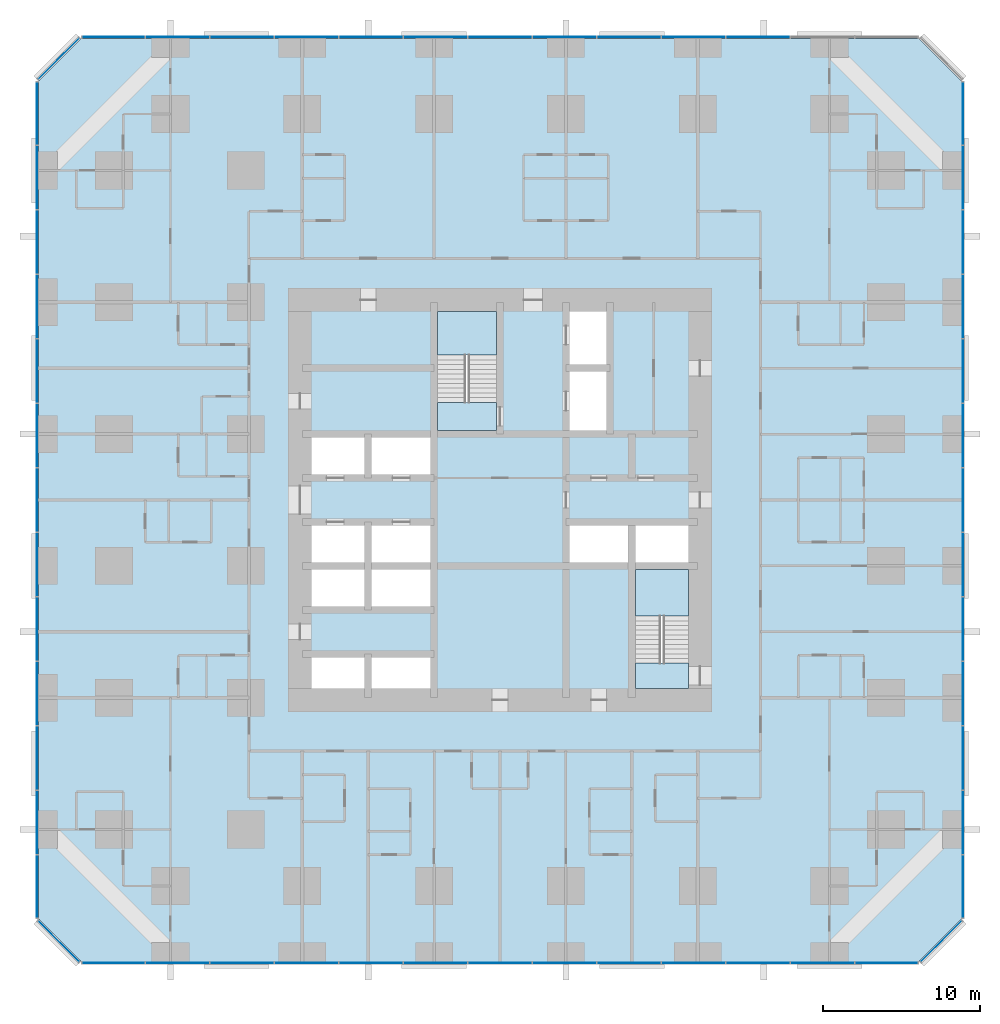
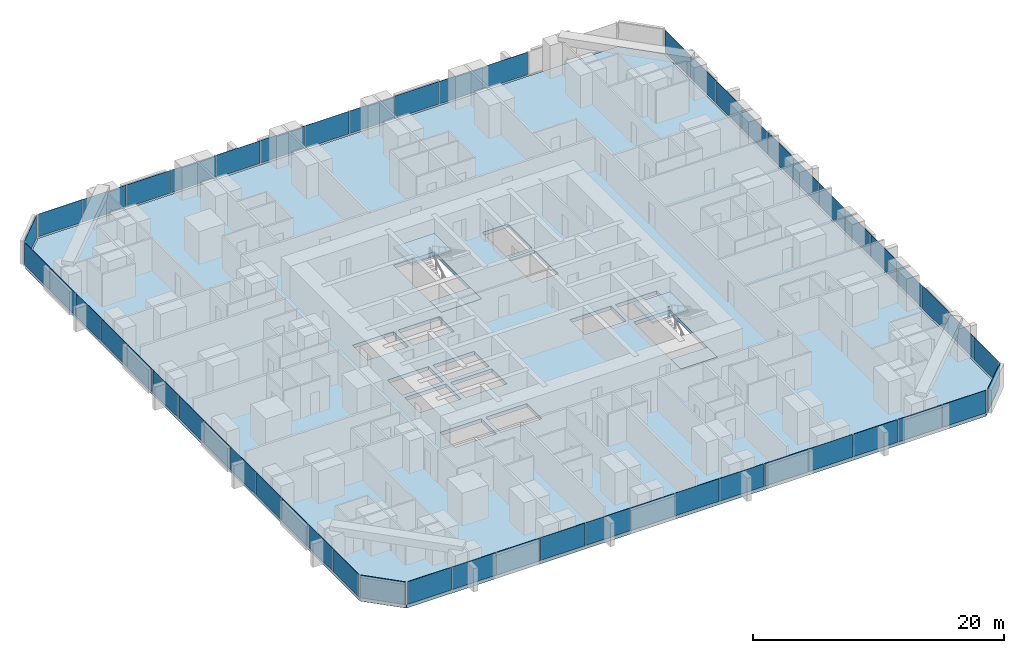
# One storey, part 8 of 16: 53 plates, 5 slabs, 9 elements without a shape of their own.
"""IFC4 building model written with IfcOpenShell, lengths in metres."""

from ifc_helpers import new_model, si_unit, direction, frame, origin, origin_2d, place, context, subcontext, project, spatial, polyline, rectangle, outline, extrude, material, layer, layer_set, type_object, element, aggregate, save


model = new_model("IFC4")

# Units and contexts
model_context = context("Model", 3, precision=1e-05, world=origin(), true_north=direction((0.0, 1.0)))
body_context = subcontext(model_context, "Body", "Model", "MODEL_VIEW")
ifc_project = project(units=[si_unit("LENGTHUNIT", "METRE"), si_unit("AREAUNIT", "SQUARE_METRE"), si_unit("VOLUMEUNIT", "CUBIC_METRE"), si_unit("PLANEANGLEUNIT", "RADIAN"), si_unit("MASSUNIT", "GRAM", prefix="KILO")], contexts=[model_context])

# Site, building, storey
site_placement = place(None, origin())
site = spatial("IfcSite", under=ifc_project, at=site_placement, CompositionType="ELEMENT")
building_placement = place(site_placement, origin())
building = spatial("IfcBuilding", under=site, at=building_placement, Name="Dunama Terrace Hotel", CompositionType="ELEMENT")
storey_placement = place(building_placement, frame((0.0, 0.0, 84.60009765625)))
storey = spatial("IfcBuildingStorey", under=building, at=storey_placement, Name="L21", CompositionType="ELEMENT", Elevation=84.60009765625)

# Curtain wall, plates
ifc_material_1 = material(Name="Aluminium curtain wall system", Category="aluminium")
curtain_wall_type = type_object("IfcCurtainWallType", Name="Unitised fritted glass wall CW-A", PredefinedType="NOTDEFINED", material=ifc_material_1)
curtain_wall_1_placement = place(storey_placement, origin())
curtain_wall_1 = element("IfcCurtainWall", 1, at=curtain_wall_1_placement, inside=storey, type_object=curtain_wall_type, Name="Unitised fritted glass wall CW-A L21", PredefinedType="NOTDEFINED")
ifc_material_2 = material(Name="Laminated glass", Category="glass")
ifc_layer_1 = layer(ifc_material_2, 0.030029296875)
ifc_layer_set_1 = layer_set([ifc_layer_1], Name="CWA clear glass panel")
plate_type_1 = type_object("IfcPlateType", Name="CWA clear glass panel", PredefinedType="CURTAIN_PANEL", material=ifc_layer_set_1)
plate_1_placement = place(storey_placement, frame((4.77001953125, -0.10009765625, 0.074951171875), z_axis=(0.0, 0.0, 1.0), x_axis=(1.0, 0.0, 0.0)))
plate_1 = element("IfcPlate", 2, at=plate_1_placement, type_object=plate_type_1, Name="CWA clear glass panel", PredefinedType="CURTAIN_PANEL", context=body_context, shape_type="SweptSolid", body=[
    extrude(rectangle(XDim=4.01025390625, YDim=0.030029296875, at=origin_2d()), origin(), (0.0, 0.0, 1.0), 2.2041015625),
])
plate_2_placement = place(storey_placement, frame((17.076904296875, -0.10009765625, 0.074951171875), z_axis=(0.0, 0.0, 1.0), x_axis=(1.0, 0.0, 0.0)))
plate_2 = element("IfcPlate", 3, at=plate_2_placement, type_object=plate_type_1, Name="CWA clear glass panel", PredefinedType="CURTAIN_PANEL", context=body_context, shape_type="SweptSolid", body=[
    extrude(rectangle(XDim=4.042724609375, YDim=0.030029296875, at=origin_2d()), origin(), (0.0, 0.0, 1.0), 2.2041015625),
])
plate_3_placement = place(storey_placement, frame((29.39990234375, -0.10009765625, 0.074951171875), z_axis=(0.0, 0.0, 1.0), x_axis=(1.0, 0.0, 0.0)))
plate_3 = element("IfcPlate", 4, at=plate_3_placement, type_object=plate_type_1, Name="CWA clear glass panel", PredefinedType="CURTAIN_PANEL", context=body_context, shape_type="SweptSolid", body=[
    extrude(rectangle(XDim=4.042724609375, YDim=0.030029296875, at=origin_2d()), origin(), (0.0, 0.0, 1.0), 2.2041015625),
])
plate_4_placement = place(storey_placement, frame((41.722900390625, -0.10009765625, 0.074951171875), z_axis=(0.0, 0.0, 1.0), x_axis=(1.0, 0.0, 0.0)))
plate_4 = element("IfcPlate", 5, at=plate_4_placement, type_object=plate_type_1, Name="CWA clear glass panel", PredefinedType="CURTAIN_PANEL", context=body_context, shape_type="SweptSolid", body=[
    extrude(rectangle(XDim=4.042724609375, YDim=0.030029296875, at=origin_2d()), origin(), (0.0, 0.0, 1.0), 2.2041015625),
])
plate_5_placement = place(storey_placement, frame((54.030029296875, -0.10009765625, 0.074951171875), z_axis=(0.0, 0.0, 1.0), x_axis=(1.0, 0.0, 0.0)))
plate_5 = element("IfcPlate", 6, at=plate_5_placement, type_object=plate_type_1, Name="CWA clear glass panel", PredefinedType="CURTAIN_PANEL", context=body_context, shape_type="SweptSolid", body=[
    extrude(rectangle(XDim=4.01025390625, YDim=0.030029296875, at=origin_2d()), origin(), (0.0, 0.0, 1.0), 2.2041015625),
])

curtain_wall_2_placement = place(storey_placement, origin())
curtain_wall_2 = element("IfcCurtainWall", 7, at=curtain_wall_2_placement, inside=storey, type_object=curtain_wall_type, Name="Unitised fritted glass wall CW-A L21", PredefinedType="NOTDEFINED")
plate_6_placement = place(storey_placement, frame((58.89990234375, 8.862060546875, 0.074951171875), z_axis=(0.0, 0.0, 1.0), x_axis=(0.0, 1.0, 0.0)))
plate_6 = element("IfcPlate", 8, at=plate_6_placement, type_object=plate_type_1, Name="CWA clear glass panel", PredefinedType="CURTAIN_PANEL", context=body_context, shape_type="SweptSolid", body=[
    extrude(rectangle(XDim=4.042724609375, YDim=0.030029296875, at=origin_2d()), origin(), (0.0, 0.0, 1.0), 2.2041015625),
])
plate_7_placement = place(storey_placement, frame((58.89990234375, 21.18505859375, 0.074951171875), z_axis=(0.0, 0.0, 1.0), x_axis=(0.0, 1.0, 0.0)))
plate_7 = element("IfcPlate", 9, at=plate_7_placement, type_object=plate_type_1, Name="CWA clear glass panel", PredefinedType="CURTAIN_PANEL", context=body_context, shape_type="SweptSolid", body=[
    extrude(rectangle(XDim=4.042724609375, YDim=0.030029296875, at=origin_2d()), origin(), (0.0, 0.0, 1.0), 2.2041015625),
])
plate_8_placement = place(storey_placement, frame((58.89990234375, 33.508056640625, 0.074951171875), z_axis=(0.0, 0.0, 1.0), x_axis=(0.0, 1.0, 0.0)))
plate_8 = element("IfcPlate", 10, at=plate_8_placement, type_object=plate_type_1, Name="CWA clear glass panel", PredefinedType="CURTAIN_PANEL", context=body_context, shape_type="SweptSolid", body=[
    extrude(rectangle(XDim=4.042724609375, YDim=0.030029296875, at=origin_2d()), origin(), (0.0, 0.0, 1.0), 2.2041015625),
])
plate_9_placement = place(storey_placement, frame((58.89990234375, 45.8310546875, 0.074951171875), z_axis=(0.0, 0.0, 1.0), x_axis=(0.0, 1.0, 0.0)))
plate_9 = element("IfcPlate", 11, at=plate_9_placement, type_object=plate_type_1, Name="CWA clear glass panel", PredefinedType="CURTAIN_PANEL", context=body_context, shape_type="SweptSolid", body=[
    extrude(rectangle(XDim=4.042724609375, YDim=0.030029296875, at=origin_2d()), origin(), (0.0, 0.0, 1.0), 2.2041015625),
])

curtain_wall_3_placement = place(storey_placement, origin())
curtain_wall_3 = element("IfcCurtainWall", 12, at=curtain_wall_3_placement, inside=storey, type_object=curtain_wall_type, Name="Unitised fritted glass wall CW-A L21", PredefinedType="NOTDEFINED")
plate_10_placement = place(storey_placement, frame((45.8310546875, 58.89990234375, 0.074951171875), z_axis=(0.0, 0.0, 1.0), x_axis=(-1.0, 0.0, 0.0)))
plate_10 = element("IfcPlate", 13, at=plate_10_placement, type_object=plate_type_1, Name="CWA clear glass panel", PredefinedType="CURTAIN_PANEL", context=body_context, shape_type="SweptSolid", body=[
    extrude(rectangle(XDim=4.042724609375, YDim=0.030029296875, at=origin_2d()), origin(), (0.0, 0.0, 1.0), 2.2041015625),
])
plate_11_placement = place(storey_placement, frame((33.508056640625, 58.89990234375, 0.074951171875), z_axis=(0.0, 0.0, 1.0), x_axis=(-1.0, 0.0, 0.0)))
plate_11 = element("IfcPlate", 14, at=plate_11_placement, type_object=plate_type_1, Name="CWA clear glass panel", PredefinedType="CURTAIN_PANEL", context=body_context, shape_type="SweptSolid", body=[
    extrude(rectangle(XDim=4.042724609375, YDim=0.030029296875, at=origin_2d()), origin(), (0.0, 0.0, 1.0), 2.2041015625),
])
plate_12_placement = place(storey_placement, frame((21.18505859375, 58.89990234375, 0.074951171875), z_axis=(0.0, 0.0, 1.0), x_axis=(-1.0, 0.0, 0.0)))
plate_12 = element("IfcPlate", 15, at=plate_12_placement, type_object=plate_type_1, Name="CWA clear glass panel", PredefinedType="CURTAIN_PANEL", context=body_context, shape_type="SweptSolid", body=[
    extrude(rectangle(XDim=4.042724609375, YDim=0.030029296875, at=origin_2d()), origin(), (0.0, 0.0, 1.0), 2.2041015625),
])
plate_13_placement = place(storey_placement, frame((8.862060546875, 58.89990234375, 0.074951171875), z_axis=(0.0, 0.0, 1.0), x_axis=(-1.0, 0.0, 0.0)))
plate_13 = element("IfcPlate", 16, at=plate_13_placement, type_object=plate_type_1, Name="CWA clear glass panel", PredefinedType="CURTAIN_PANEL", context=body_context, shape_type="SweptSolid", body=[
    extrude(rectangle(XDim=4.042724609375, YDim=0.030029296875, at=origin_2d()), origin(), (0.0, 0.0, 1.0), 2.2041015625),
])

curtain_wall_4_placement = place(storey_placement, origin())
curtain_wall_4 = element("IfcCurtainWall", 17, at=curtain_wall_4_placement, inside=storey, type_object=curtain_wall_type, Name="Unitised fritted glass wall CW-A L21", PredefinedType="NOTDEFINED")
plate_14_placement = place(storey_placement, frame((-0.10009765625, 54.030029296875, 0.074951171875), z_axis=(0.0, 0.0, 1.0), x_axis=(0.0, -1.0, 0.0)))
plate_14 = element("IfcPlate", 18, at=plate_14_placement, type_object=plate_type_1, Name="CWA clear glass panel", PredefinedType="CURTAIN_PANEL", context=body_context, shape_type="SweptSolid", body=[
    extrude(rectangle(XDim=4.01025390625, YDim=0.030029296875, at=origin_2d()), origin(), (0.0, 0.0, 1.0), 2.2041015625),
])
plate_15_placement = place(storey_placement, frame((-0.10009765625, 41.722900390625, 0.074951171875), z_axis=(0.0, 0.0, 1.0), x_axis=(0.0, -1.0, 0.0)))
plate_15 = element("IfcPlate", 19, at=plate_15_placement, type_object=plate_type_1, Name="CWA clear glass panel", PredefinedType="CURTAIN_PANEL", context=body_context, shape_type="SweptSolid", body=[
    extrude(rectangle(XDim=4.042724609375, YDim=0.030029296875, at=origin_2d()), origin(), (0.0, 0.0, 1.0), 2.2041015625),
])
plate_16_placement = place(storey_placement, frame((-0.10009765625, 29.39990234375, 0.074951171875), z_axis=(0.0, 0.0, 1.0), x_axis=(0.0, -1.0, 0.0)))
plate_16 = element("IfcPlate", 20, at=plate_16_placement, type_object=plate_type_1, Name="CWA clear glass panel", PredefinedType="CURTAIN_PANEL", context=body_context, shape_type="SweptSolid", body=[
    extrude(rectangle(XDim=4.042724609375, YDim=0.030029296875, at=origin_2d()), origin(), (0.0, 0.0, 1.0), 2.2041015625),
])
plate_17_placement = place(storey_placement, frame((-0.10009765625, 17.076904296875, 0.074951171875), z_axis=(0.0, 0.0, 1.0), x_axis=(0.0, -1.0, 0.0)))
plate_17 = element("IfcPlate", 21, at=plate_17_placement, type_object=plate_type_1, Name="CWA clear glass panel", PredefinedType="CURTAIN_PANEL", context=body_context, shape_type="SweptSolid", body=[
    extrude(rectangle(XDim=4.042724609375, YDim=0.030029296875, at=origin_2d()), origin(), (0.0, 0.0, 1.0), 2.2041015625),
])
plate_18_placement = place(storey_placement, frame((-0.10009765625, 4.77001953125, 0.074951171875), z_axis=(0.0, 0.0, 1.0), x_axis=(0.0, -1.0, 0.0)))
plate_18 = element("IfcPlate", 22, at=plate_18_placement, type_object=plate_type_1, Name="CWA clear glass panel", PredefinedType="CURTAIN_PANEL", context=body_context, shape_type="SweptSolid", body=[
    extrude(rectangle(XDim=4.01025390625, YDim=0.030029296875, at=origin_2d()), origin(), (0.0, 0.0, 1.0), 2.2041015625),
])

# Plate
ifc_material_3 = material(Name="Fritted laminated glass", Category="glass")
ifc_layer_2 = layer(ifc_material_3, 0.030029296875)
ifc_layer_set_2 = layer_set([ifc_layer_2], Name="CWA fritted glass panel")
plate_type_2 = type_object("IfcPlateType", Name="CWA fritted glass panel", PredefinedType="CURTAIN_PANEL", material=ifc_layer_set_2)
plate_19_placement = place(storey_placement, frame((12.968994140625, -0.10009765625, 0.074951171875), z_axis=(0.0, 0.0, 1.0), x_axis=(1.0, 0.0, 0.0)))
plate_19 = element("IfcPlate", 23, at=plate_19_placement, type_object=plate_type_2, Name="CWA fritted glass panel", PredefinedType="CURTAIN_PANEL", context=body_context, shape_type="SweptSolid", body=[
    extrude(rectangle(XDim=4.042724609375, YDim=0.030029296875, at=origin_2d()), origin(), (0.0, 0.0, 1.0), 2.2041015625),
])

plate_20_placement = place(storey_placement, frame((25.2919921875, -0.10009765625, 0.074951171875), z_axis=(0.0, 0.0, 1.0), x_axis=(1.0, 0.0, 0.0)))
plate_20 = element("IfcPlate", 24, at=plate_20_placement, type_object=plate_type_2, Name="CWA fritted glass panel", PredefinedType="CURTAIN_PANEL", context=body_context, shape_type="SweptSolid", body=[
    extrude(rectangle(XDim=4.042724609375, YDim=0.030029296875, at=origin_2d()), origin(), (0.0, 0.0, 1.0), 2.2041015625),
])

plate_21_placement = place(storey_placement, frame((37.614990234375, -0.10009765625, 0.074951171875), z_axis=(0.0, 0.0, 1.0), x_axis=(1.0, 0.0, 0.0)))
plate_21 = element("IfcPlate", 25, at=plate_21_placement, type_object=plate_type_2, Name="CWA fritted glass panel", PredefinedType="CURTAIN_PANEL", context=body_context, shape_type="SweptSolid", body=[
    extrude(rectangle(XDim=4.042724609375, YDim=0.030029296875, at=origin_2d()), origin(), (0.0, 0.0, 1.0), 2.2041015625),
])

plate_22_placement = place(storey_placement, frame((49.93798828125, -0.10009765625, 0.074951171875), z_axis=(0.0, 0.0, 1.0), x_axis=(1.0, 0.0, 0.0)))
plate_22 = element("IfcPlate", 26, at=plate_22_placement, type_object=plate_type_2, Name="CWA fritted glass panel", PredefinedType="CURTAIN_PANEL", context=body_context, shape_type="SweptSolid", body=[
    extrude(rectangle(XDim=4.042724609375, YDim=0.030029296875, at=origin_2d()), origin(), (0.0, 0.0, 1.0), 2.2041015625),
])

plate_23_placement = place(storey_placement, frame((58.89990234375, 4.77001953125, 0.074951171875), z_axis=(0.0, 0.0, 1.0), x_axis=(0.0, 1.0, 0.0)))
plate_23 = element("IfcPlate", 27, at=plate_23_placement, type_object=plate_type_2, Name="CWA fritted glass panel", PredefinedType="CURTAIN_PANEL", context=body_context, shape_type="SweptSolid", body=[
    extrude(rectangle(XDim=4.01025390625, YDim=0.030029296875, at=origin_2d()), origin(), (0.0, 0.0, 1.0), 2.2041015625),
])

plate_24_placement = place(storey_placement, frame((58.89990234375, 17.076904296875, 0.074951171875), z_axis=(0.0, 0.0, 1.0), x_axis=(0.0, 1.0, 0.0)))
plate_24 = element("IfcPlate", 28, at=plate_24_placement, type_object=plate_type_2, Name="CWA fritted glass panel", PredefinedType="CURTAIN_PANEL", context=body_context, shape_type="SweptSolid", body=[
    extrude(rectangle(XDim=4.042724609375, YDim=0.030029296875, at=origin_2d()), origin(), (0.0, 0.0, 1.0), 2.2041015625),
])

plate_25_placement = place(storey_placement, frame((58.89990234375, 29.39990234375, 0.074951171875), z_axis=(0.0, 0.0, 1.0), x_axis=(0.0, 1.0, 0.0)))
plate_25 = element("IfcPlate", 29, at=plate_25_placement, type_object=plate_type_2, Name="CWA fritted glass panel", PredefinedType="CURTAIN_PANEL", context=body_context, shape_type="SweptSolid", body=[
    extrude(rectangle(XDim=4.042724609375, YDim=0.030029296875, at=origin_2d()), origin(), (0.0, 0.0, 1.0), 2.2041015625),
])

plate_26_placement = place(storey_placement, frame((58.89990234375, 41.722900390625, 0.074951171875), z_axis=(0.0, 0.0, 1.0), x_axis=(0.0, 1.0, 0.0)))
plate_26 = element("IfcPlate", 30, at=plate_26_placement, type_object=plate_type_2, Name="CWA fritted glass panel", PredefinedType="CURTAIN_PANEL", context=body_context, shape_type="SweptSolid", body=[
    extrude(rectangle(XDim=4.042724609375, YDim=0.030029296875, at=origin_2d()), origin(), (0.0, 0.0, 1.0), 2.2041015625),
])

plate_27_placement = place(storey_placement, frame((58.89990234375, 54.030029296875, 0.074951171875), z_axis=(0.0, 0.0, 1.0), x_axis=(0.0, 1.0, 0.0)))
plate_27 = element("IfcPlate", 31, at=plate_27_placement, type_object=plate_type_2, Name="CWA fritted glass panel", PredefinedType="CURTAIN_PANEL", context=body_context, shape_type="SweptSolid", body=[
    extrude(rectangle(XDim=4.01025390625, YDim=0.030029296875, at=origin_2d()), origin(), (0.0, 0.0, 1.0), 2.2041015625),
])

plate_28_placement = place(storey_placement, frame((37.614990234375, 58.89990234375, 0.074951171875), z_axis=(0.0, 0.0, 1.0), x_axis=(-1.0, 0.0, 0.0)))
plate_28 = element("IfcPlate", 32, at=plate_28_placement, type_object=plate_type_2, Name="CWA fritted glass panel", PredefinedType="CURTAIN_PANEL", context=body_context, shape_type="SweptSolid", body=[
    extrude(rectangle(XDim=4.042724609375, YDim=0.030029296875, at=origin_2d()), origin(), (0.0, 0.0, 1.0), 2.2041015625),
])

plate_29_placement = place(storey_placement, frame((25.2919921875, 58.89990234375, 0.074951171875), z_axis=(0.0, 0.0, 1.0), x_axis=(-1.0, 0.0, 0.0)))
plate_29 = element("IfcPlate", 33, at=plate_29_placement, type_object=plate_type_2, Name="CWA fritted glass panel", PredefinedType="CURTAIN_PANEL", context=body_context, shape_type="SweptSolid", body=[
    extrude(rectangle(XDim=4.042724609375, YDim=0.030029296875, at=origin_2d()), origin(), (0.0, 0.0, 1.0), 2.2041015625),
])

plate_30_placement = place(storey_placement, frame((12.968994140625, 58.89990234375, 0.074951171875), z_axis=(0.0, 0.0, 1.0), x_axis=(-1.0, 0.0, 0.0)))
plate_30 = element("IfcPlate", 34, at=plate_30_placement, type_object=plate_type_2, Name="CWA fritted glass panel", PredefinedType="CURTAIN_PANEL", context=body_context, shape_type="SweptSolid", body=[
    extrude(rectangle(XDim=4.042724609375, YDim=0.030029296875, at=origin_2d()), origin(), (0.0, 0.0, 1.0), 2.2041015625),
])

# Curtain wall, plate
curtain_wall_5_placement = place(storey_placement, origin())
curtain_wall_5 = element("IfcCurtainWall", 35, at=curtain_wall_5_placement, inside=storey, type_object=curtain_wall_type, Name="Unitised fritted glass wall CW-A L21", PredefinedType="NOTDEFINED")
plate_31_placement = place(storey_placement, frame((1.279052734375, 57.52099609375, 0.074951171875), z_axis=(0.0, 0.0, 1.0), x_axis=(-0.707106781187, -0.707106781187, 0.0)))
plate_31 = element("IfcPlate", 36, at=plate_31_placement, type_object=plate_type_2, Name="CWA fritted glass panel", PredefinedType="CURTAIN_PANEL", context=body_context, shape_type="SweptSolid", body=[
    extrude(rectangle(XDim=3.6884765625, YDim=0.030029296875, at=origin_2d()), origin(), (0.0, 0.0, 1.0), 2.2041015625),
])
aggregate(curtain_wall_5, [plate_31])

# Plate
plate_32_placement = place(storey_placement, frame((-0.10009765625, 45.8310546875, 0.074951171875), z_axis=(0.0, 0.0, 1.0), x_axis=(0.0, -1.0, 0.0)))
plate_32 = element("IfcPlate", 37, at=plate_32_placement, type_object=plate_type_2, Name="CWA fritted glass panel", PredefinedType="CURTAIN_PANEL", context=body_context, shape_type="SweptSolid", body=[
    extrude(rectangle(XDim=4.042724609375, YDim=0.030029296875, at=origin_2d()), origin(), (0.0, 0.0, 1.0), 2.2041015625),
])

plate_33_placement = place(storey_placement, frame((-0.10009765625, 33.508056640625, 0.074951171875), z_axis=(0.0, 0.0, 1.0), x_axis=(0.0, -1.0, 0.0)))
plate_33 = element("IfcPlate", 38, at=plate_33_placement, type_object=plate_type_2, Name="CWA fritted glass panel", PredefinedType="CURTAIN_PANEL", context=body_context, shape_type="SweptSolid", body=[
    extrude(rectangle(XDim=4.042724609375, YDim=0.030029296875, at=origin_2d()), origin(), (0.0, 0.0, 1.0), 2.2041015625),
])

plate_34_placement = place(storey_placement, frame((-0.10009765625, 21.18505859375, 0.074951171875), z_axis=(0.0, 0.0, 1.0), x_axis=(0.0, -1.0, 0.0)))
plate_34 = element("IfcPlate", 39, at=plate_34_placement, type_object=plate_type_2, Name="CWA fritted glass panel", PredefinedType="CURTAIN_PANEL", context=body_context, shape_type="SweptSolid", body=[
    extrude(rectangle(XDim=4.042724609375, YDim=0.030029296875, at=origin_2d()), origin(), (0.0, 0.0, 1.0), 2.2041015625),
])

plate_35_placement = place(storey_placement, frame((-0.10009765625, 8.862060546875, 0.074951171875), z_axis=(0.0, 0.0, 1.0), x_axis=(0.0, -1.0, 0.0)))
plate_35 = element("IfcPlate", 40, at=plate_35_placement, type_object=plate_type_2, Name="CWA fritted glass panel", PredefinedType="CURTAIN_PANEL", context=body_context, shape_type="SweptSolid", body=[
    extrude(rectangle(XDim=4.042724609375, YDim=0.030029296875, at=origin_2d()), origin(), (0.0, 0.0, 1.0), 2.2041015625),
])

ifc_material_4 = material(Name="Laminated glass", Category="glass")
ifc_layer_3 = layer(ifc_material_4, 0.030029296875)
ifc_layer_set_3 = layer_set([ifc_layer_3], Name="CWA operable glass panel")
plate_type_3 = type_object("IfcPlateType", Name="CWA operable glass panel", PredefinedType="CURTAIN_PANEL", material=ifc_layer_set_3)
plate_36_placement = place(storey_placement, frame((8.862060546875, -0.10009765625, 0.074951171875), z_axis=(0.0, 0.0, 1.0), x_axis=(1.0, 0.0, 0.0)))
plate_36 = element("IfcPlate", 41, at=plate_36_placement, type_object=plate_type_3, Name="CWA operable glass panel", PredefinedType="CURTAIN_PANEL", context=body_context, shape_type="SweptSolid", body=[
    extrude(rectangle(XDim=4.042724609375, YDim=0.030029296875, at=origin_2d()), origin(), (0.0, 0.0, 1.0), 2.2041015625),
])

plate_37_placement = place(storey_placement, frame((21.18505859375, -0.10009765625, 0.074951171875), z_axis=(0.0, 0.0, 1.0), x_axis=(1.0, 0.0, 0.0)))
plate_37 = element("IfcPlate", 42, at=plate_37_placement, type_object=plate_type_3, Name="CWA operable glass panel", PredefinedType="CURTAIN_PANEL", context=body_context, shape_type="SweptSolid", body=[
    extrude(rectangle(XDim=4.042724609375, YDim=0.030029296875, at=origin_2d()), origin(), (0.0, 0.0, 1.0), 2.2041015625),
])

plate_38_placement = place(storey_placement, frame((33.508056640625, -0.10009765625, 0.074951171875), z_axis=(0.0, 0.0, 1.0), x_axis=(1.0, 0.0, 0.0)))
plate_38 = element("IfcPlate", 43, at=plate_38_placement, type_object=plate_type_3, Name="CWA operable glass panel", PredefinedType="CURTAIN_PANEL", context=body_context, shape_type="SweptSolid", body=[
    extrude(rectangle(XDim=4.042724609375, YDim=0.030029296875, at=origin_2d()), origin(), (0.0, 0.0, 1.0), 2.2041015625),
])

plate_39_placement = place(storey_placement, frame((45.8310546875, -0.10009765625, 0.074951171875), z_axis=(0.0, 0.0, 1.0), x_axis=(1.0, 0.0, 0.0)))
plate_39 = element("IfcPlate", 44, at=plate_39_placement, type_object=plate_type_3, Name="CWA operable glass panel", PredefinedType="CURTAIN_PANEL", context=body_context, shape_type="SweptSolid", body=[
    extrude(rectangle(XDim=4.042724609375, YDim=0.030029296875, at=origin_2d()), origin(), (0.0, 0.0, 1.0), 2.2041015625),
])

aggregate(curtain_wall_1, [plate_1, plate_36, plate_19, plate_2, plate_37, plate_20, plate_3, plate_38, plate_21, plate_4, plate_39, plate_22, plate_5])

# Curtain wall, plate
curtain_wall_6_placement = place(storey_placement, origin())
curtain_wall_6 = element("IfcCurtainWall", 45, at=curtain_wall_6_placement, inside=storey, type_object=curtain_wall_type, Name="Unitised fritted glass wall CW-A L21", PredefinedType="NOTDEFINED")
plate_40_placement = place(storey_placement, frame((57.52099609375, 1.279052734375, 0.074951171875), z_axis=(0.0, 0.0, 1.0), x_axis=(0.707106781187, 0.707106781187, 0.0)))
plate_40 = element("IfcPlate", 46, at=plate_40_placement, type_object=plate_type_3, Name="CWA operable glass panel", PredefinedType="CURTAIN_PANEL", context=body_context, shape_type="SweptSolid", body=[
    extrude(rectangle(XDim=3.6884765625, YDim=0.030029296875, at=origin_2d()), origin(), (0.0, 0.0, 1.0), 2.2041015625),
])
aggregate(curtain_wall_6, [plate_40])

# Plate
plate_41_placement = place(storey_placement, frame((58.89990234375, 12.968994140625, 0.074951171875), z_axis=(0.0, 0.0, 1.0), x_axis=(0.0, 1.0, 0.0)))
plate_41 = element("IfcPlate", 47, at=plate_41_placement, type_object=plate_type_3, Name="CWA operable glass panel", PredefinedType="CURTAIN_PANEL", context=body_context, shape_type="SweptSolid", body=[
    extrude(rectangle(XDim=4.042724609375, YDim=0.030029296875, at=origin_2d()), origin(), (0.0, 0.0, 1.0), 2.2041015625),
])

plate_42_placement = place(storey_placement, frame((58.89990234375, 25.2919921875, 0.074951171875), z_axis=(0.0, 0.0, 1.0), x_axis=(0.0, 1.0, 0.0)))
plate_42 = element("IfcPlate", 48, at=plate_42_placement, type_object=plate_type_3, Name="CWA operable glass panel", PredefinedType="CURTAIN_PANEL", context=body_context, shape_type="SweptSolid", body=[
    extrude(rectangle(XDim=4.042724609375, YDim=0.030029296875, at=origin_2d()), origin(), (0.0, 0.0, 1.0), 2.2041015625),
])

plate_43_placement = place(storey_placement, frame((58.89990234375, 37.614990234375, 0.074951171875), z_axis=(0.0, 0.0, 1.0), x_axis=(0.0, 1.0, 0.0)))
plate_43 = element("IfcPlate", 49, at=plate_43_placement, type_object=plate_type_3, Name="CWA operable glass panel", PredefinedType="CURTAIN_PANEL", context=body_context, shape_type="SweptSolid", body=[
    extrude(rectangle(XDim=4.042724609375, YDim=0.030029296875, at=origin_2d()), origin(), (0.0, 0.0, 1.0), 2.2041015625),
])

plate_44_placement = place(storey_placement, frame((58.89990234375, 49.93798828125, 0.074951171875), z_axis=(0.0, 0.0, 1.0), x_axis=(0.0, 1.0, 0.0)))
plate_44 = element("IfcPlate", 50, at=plate_44_placement, type_object=plate_type_3, Name="CWA operable glass panel", PredefinedType="CURTAIN_PANEL", context=body_context, shape_type="SweptSolid", body=[
    extrude(rectangle(XDim=4.042724609375, YDim=0.030029296875, at=origin_2d()), origin(), (0.0, 0.0, 1.0), 2.2041015625),
])

aggregate(curtain_wall_2, [plate_23, plate_6, plate_41, plate_24, plate_7, plate_42, plate_25, plate_8, plate_43, plate_26, plate_9, plate_44, plate_27])

plate_45_placement = place(storey_placement, frame((41.722900390625, 58.89990234375, 0.074951171875), z_axis=(0.0, 0.0, 1.0), x_axis=(-1.0, 0.0, 0.0)))
plate_45 = element("IfcPlate", 51, at=plate_45_placement, type_object=plate_type_3, Name="CWA operable glass panel", PredefinedType="CURTAIN_PANEL", context=body_context, shape_type="SweptSolid", body=[
    extrude(rectangle(XDim=4.042724609375, YDim=0.030029296875, at=origin_2d()), origin(), (0.0, 0.0, 1.0), 2.2041015625),
])

plate_46_placement = place(storey_placement, frame((29.39990234375, 58.89990234375, 0.074951171875), z_axis=(0.0, 0.0, 1.0), x_axis=(-1.0, 0.0, 0.0)))
plate_46 = element("IfcPlate", 52, at=plate_46_placement, type_object=plate_type_3, Name="CWA operable glass panel", PredefinedType="CURTAIN_PANEL", context=body_context, shape_type="SweptSolid", body=[
    extrude(rectangle(XDim=4.042724609375, YDim=0.030029296875, at=origin_2d()), origin(), (0.0, 0.0, 1.0), 2.2041015625),
])

plate_47_placement = place(storey_placement, frame((17.076904296875, 58.89990234375, 0.074951171875), z_axis=(0.0, 0.0, 1.0), x_axis=(-1.0, 0.0, 0.0)))
plate_47 = element("IfcPlate", 53, at=plate_47_placement, type_object=plate_type_3, Name="CWA operable glass panel", PredefinedType="CURTAIN_PANEL", context=body_context, shape_type="SweptSolid", body=[
    extrude(rectangle(XDim=4.042724609375, YDim=0.030029296875, at=origin_2d()), origin(), (0.0, 0.0, 1.0), 2.2041015625),
])

plate_48_placement = place(storey_placement, frame((4.77001953125, 58.89990234375, 0.074951171875), z_axis=(0.0, 0.0, 1.0), x_axis=(-1.0, 0.0, 0.0)))
plate_48 = element("IfcPlate", 54, at=plate_48_placement, type_object=plate_type_3, Name="CWA operable glass panel", PredefinedType="CURTAIN_PANEL", context=body_context, shape_type="SweptSolid", body=[
    extrude(rectangle(XDim=4.01025390625, YDim=0.030029296875, at=origin_2d()), origin(), (0.0, 0.0, 1.0), 2.2041015625),
])

aggregate(curtain_wall_3, [plate_10, plate_45, plate_28, plate_11, plate_46, plate_29, plate_12, plate_47, plate_30, plate_13, plate_48])

plate_49_placement = place(storey_placement, frame((-0.10009765625, 49.93798828125, 0.074951171875), z_axis=(0.0, 0.0, 1.0), x_axis=(0.0, -1.0, 0.0)))
plate_49 = element("IfcPlate", 55, at=plate_49_placement, type_object=plate_type_3, Name="CWA operable glass panel", PredefinedType="CURTAIN_PANEL", context=body_context, shape_type="SweptSolid", body=[
    extrude(rectangle(XDim=4.042724609375, YDim=0.030029296875, at=origin_2d()), origin(), (0.0, 0.0, 1.0), 2.2041015625),
])

plate_50_placement = place(storey_placement, frame((-0.10009765625, 37.614990234375, 0.074951171875), z_axis=(0.0, 0.0, 1.0), x_axis=(0.0, -1.0, 0.0)))
plate_50 = element("IfcPlate", 56, at=plate_50_placement, type_object=plate_type_3, Name="CWA operable glass panel", PredefinedType="CURTAIN_PANEL", context=body_context, shape_type="SweptSolid", body=[
    extrude(rectangle(XDim=4.042724609375, YDim=0.030029296875, at=origin_2d()), origin(), (0.0, 0.0, 1.0), 2.2041015625),
])

plate_51_placement = place(storey_placement, frame((-0.10009765625, 25.2919921875, 0.074951171875), z_axis=(0.0, 0.0, 1.0), x_axis=(0.0, -1.0, 0.0)))
plate_51 = element("IfcPlate", 57, at=plate_51_placement, type_object=plate_type_3, Name="CWA operable glass panel", PredefinedType="CURTAIN_PANEL", context=body_context, shape_type="SweptSolid", body=[
    extrude(rectangle(XDim=4.042724609375, YDim=0.030029296875, at=origin_2d()), origin(), (0.0, 0.0, 1.0), 2.2041015625),
])

plate_52_placement = place(storey_placement, frame((-0.10009765625, 12.968994140625, 0.074951171875), z_axis=(0.0, 0.0, 1.0), x_axis=(0.0, -1.0, 0.0)))
plate_52 = element("IfcPlate", 58, at=plate_52_placement, type_object=plate_type_3, Name="CWA operable glass panel", PredefinedType="CURTAIN_PANEL", context=body_context, shape_type="SweptSolid", body=[
    extrude(rectangle(XDim=4.042724609375, YDim=0.030029296875, at=origin_2d()), origin(), (0.0, 0.0, 1.0), 2.2041015625),
])

aggregate(curtain_wall_4, [plate_14, plate_49, plate_32, plate_15, plate_50, plate_33, plate_16, plate_51, plate_34, plate_17, plate_52, plate_35, plate_18])

# Curtain wall, plate
curtain_wall_7_placement = place(storey_placement, origin())
curtain_wall_7 = element("IfcCurtainWall", 59, at=curtain_wall_7_placement, inside=storey, type_object=curtain_wall_type, Name="Unitised fritted glass wall CW-A L21", PredefinedType="NOTDEFINED")
plate_53_placement = place(storey_placement, frame((1.279052734375, 1.279052734375, 0.074951171875), z_axis=(0.0, 0.0, 1.0), x_axis=(0.707106781187, -0.707106781187, 0.0)))
plate_53 = element("IfcPlate", 60, at=plate_53_placement, type_object=plate_type_3, Name="CWA operable glass panel", PredefinedType="CURTAIN_PANEL", context=body_context, shape_type="SweptSolid", body=[
    extrude(rectangle(XDim=3.6884765625, YDim=0.030029296875, at=origin_2d()), origin(), (0.0, 0.0, 1.0), 2.2041015625),
])
aggregate(curtain_wall_7, [plate_53])

# Slab
ifc_material_5 = material(Name="Concrete C40/50", Category="concrete")
ifc_layer_4 = layer(ifc_material_5, 0.35009765625)
ifc_layer_set_4 = layer_set([ifc_layer_4], Name="Flat plate 350")
slab_type_1 = type_object("IfcSlabType", Name="Flat plate 350", PredefinedType="FLOOR", material=ifc_layer_set_4)
slab_1_placement = place(storey_placement, frame((0.0, 0.0, -0.35009765625)))
element("IfcSlab", 61, at=slab_1_placement, inside=storey, type_object=slab_type_1, Name="Floor slab L21", PredefinedType="FLOOR", context=body_context, shape_type="SweptSolid", body=[
    extrude(outline(polyline([(2.699951171875, 0.0), (56.10009765625, 0.0), (58.800048828125, 2.699951171875), (58.800048828125, 56.10009765625), (56.10009765625, 58.800048828125), (2.699951171875, 58.800048828125), (0.0, 56.10009765625), (0.0, 2.699951171875), (2.699951171875, 0.0)]), holes=[polyline([(20.800048828125, 25.39990234375), (20.800048828125, 27.800048828125), (17.0, 27.800048828125), (17.0, 25.39990234375), (20.800048828125, 25.39990234375)]), polyline([(25.0, 25.39990234375), (25.0, 27.800048828125), (21.199951171875, 27.800048828125), (21.199951171875, 25.39990234375), (25.0, 25.39990234375)]), polyline([(20.800048828125, 31.0), (20.800048828125, 33.39990234375), (17.0, 33.39990234375), (17.0, 31.0), (20.800048828125, 31.0)]), polyline([(25.0, 31.0), (25.0, 33.39990234375), (21.199951171875, 33.39990234375), (21.199951171875, 31.0), (25.0, 31.0)]), polyline([(37.60009765625, 25.39990234375), (37.60009765625, 27.800048828125), (33.800048828125, 27.800048828125), (33.800048828125, 25.39990234375), (37.60009765625, 25.39990234375)]), polyline([(41.800048828125, 25.39990234375), (41.800048828125, 27.800048828125), (38.0, 27.800048828125), (38.0, 25.39990234375), (41.800048828125, 25.39990234375)]), polyline([(20.800048828125, 17.0), (20.800048828125, 19.39990234375), (17.0, 19.39990234375), (17.0, 17.0), (20.800048828125, 17.0)]), polyline([(25.0, 17.0), (25.0, 19.39990234375), (21.199951171875, 19.39990234375), (21.199951171875, 17.0), (25.0, 17.0)]), polyline([(20.800048828125, 22.60009765625), (20.800048828125, 25.0), (17.0, 25.0), (17.0, 22.60009765625), (20.800048828125, 22.60009765625)]), polyline([(25.0, 22.60009765625), (25.0, 25.0), (21.199951171875, 25.0), (21.199951171875, 22.60009765625), (25.0, 22.60009765625)]), polyline([(36.199951171875, 38.0), (36.199951171875, 41.800048828125), (33.800048828125, 41.800048828125), (33.800048828125, 38.0), (36.199951171875, 38.0)]), polyline([(36.199951171875, 33.800048828125), (36.199951171875, 37.60009765625), (33.800048828125, 37.60009765625), (33.800048828125, 33.800048828125), (36.199951171875, 33.800048828125)]), polyline([(29.175048828125, 33.824951171875), (29.175048828125, 41.39990234375), (25.425048828125, 41.39990234375), (25.425048828125, 33.824951171875), (29.175048828125, 33.824951171875)]), polyline([(41.39990234375, 17.39990234375), (41.39990234375, 24.97509765625), (38.050048828125, 24.97509765625), (38.050048828125, 17.39990234375), (41.39990234375, 17.39990234375)])]), origin(), (0.0, 0.0, 1.0), 0.35009765625),
])

# Stair, slabs
ifc_material_6 = material(Name="Concrete C40/50", Category="concrete")
stair_type_1 = type_object("IfcStairType", Name="Stair ST1-3600-1800", PredefinedType="HALF_TURN_STAIR", material=ifc_material_6)
stair_1_placement = place(storey_placement, origin())
stair_1 = element("IfcStair", 62, at=stair_1_placement, inside=storey, type_object=stair_type_1, Name="Stair ST1 L21", PredefinedType="HALF_TURN_STAIR")
ifc_material_7 = material(Name="Concrete C40/50", Category="concrete")
ifc_layer_5 = layer(ifc_material_7, 0.199951171875)
ifc_layer_set_5 = layer_set([ifc_layer_5], Name="Stair landing 200")
slab_type_2 = type_object("IfcSlabType", Name="Stair landing 200", PredefinedType="LANDING", material=ifc_layer_set_5)
slab_2_placement = place(storey_placement, frame((0.0, 0.0, -0.2001953125)))
slab_2 = element("IfcSlab", 63, at=slab_2_placement, type_object=slab_type_2, Name="ST1 landing 1, type S10", PredefinedType="LANDING", context=body_context, shape_type="SweptSolid", body=[
    extrude(outline(polyline([(25.425048828125, 33.824951171875), (29.175048828125, 33.824951171875), (29.175048828125, 35.625), (25.425048828125, 35.625), (25.425048828125, 33.824951171875)])), origin(), (0.0, 0.0, 1.0), 0.2001953125),
])
slab_3_placement = place(storey_placement, frame((0.0, 0.0, 1.599853515625)))
slab_3 = element("IfcSlab", 64, at=slab_3_placement, type_object=slab_type_2, Name="ST1 landing 2, type S10", PredefinedType="LANDING", context=body_context, shape_type="SweptSolid", body=[
    extrude(outline(polyline([(25.425048828125, 38.625), (29.175048828125, 38.625), (29.175048828125, 41.39990234375), (25.425048828125, 41.39990234375), (25.425048828125, 38.625)])), origin(), (0.0, 0.0, 1.0), 0.199951171875),
])
aggregate(stair_1, [slab_2, slab_3])

ifc_material_8 = material(Name="Concrete C40/50", Category="concrete")
stair_type_2 = type_object("IfcStairType", Name="Stair ST2-3600-1600", PredefinedType="HALF_TURN_STAIR", material=ifc_material_8)
stair_2_placement = place(storey_placement, origin())
stair_2 = element("IfcStair", 65, at=stair_2_placement, inside=storey, type_object=stair_type_2, Name="Stair ST2 L21", PredefinedType="HALF_TURN_STAIR")
slab_4_placement = place(storey_placement, frame((0.0, 0.0, -0.2001953125)))
slab_4 = element("IfcSlab", 66, at=slab_4_placement, type_object=slab_type_2, Name="ST2 landing 1, type S10", PredefinedType="LANDING", context=body_context, shape_type="SweptSolid", body=[
    extrude(outline(polyline([(38.050048828125, 17.39990234375), (41.39990234375, 17.39990234375), (41.39990234375, 19.0), (38.050048828125, 19.0), (38.050048828125, 17.39990234375)])), origin(), (0.0, 0.0, 1.0), 0.2001953125),
])
slab_5_placement = place(storey_placement, frame((0.0, 0.0, 1.599853515625)))
slab_5 = element("IfcSlab", 67, at=slab_5_placement, type_object=slab_type_2, Name="ST2 landing 2, type S10", PredefinedType="LANDING", context=body_context, shape_type="SweptSolid", body=[
    extrude(outline(polyline([(38.050048828125, 22.0), (41.39990234375, 22.0), (41.39990234375, 24.97509765625), (38.050048828125, 24.97509765625), (38.050048828125, 22.0)])), origin(), (0.0, 0.0, 1.0), 0.199951171875),
])
aggregate(stair_2, [slab_4, slab_5])

save(model, "model.ifc")
